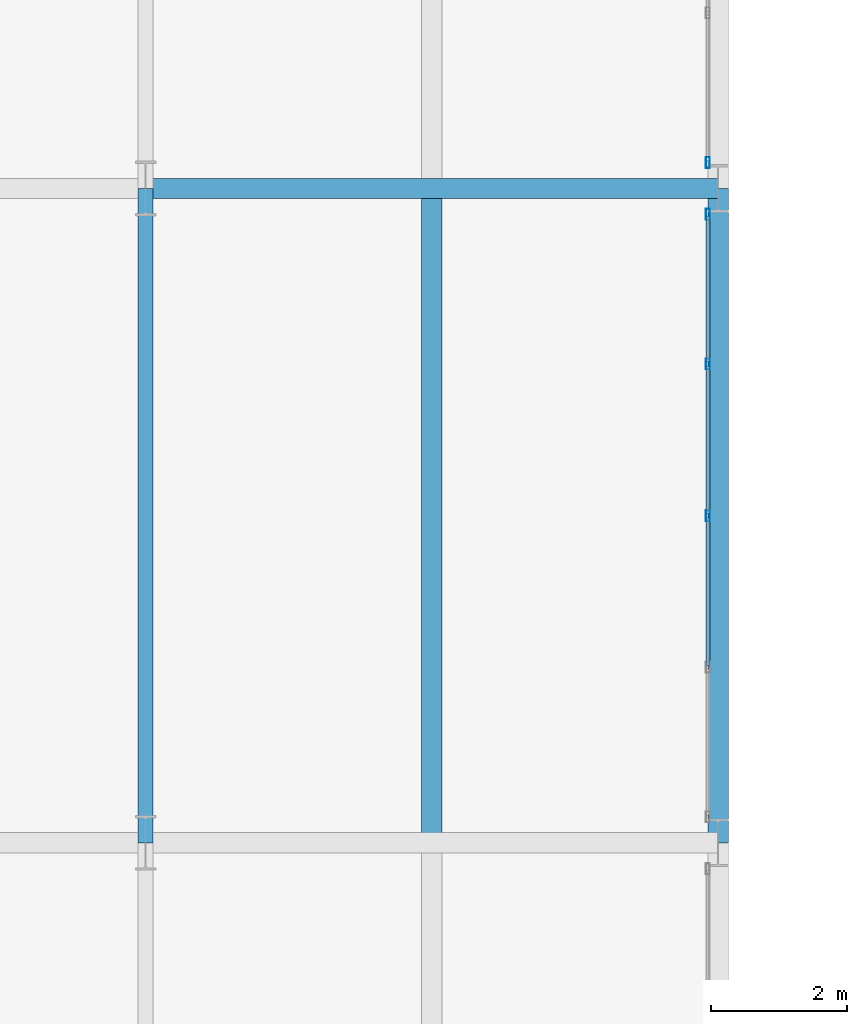
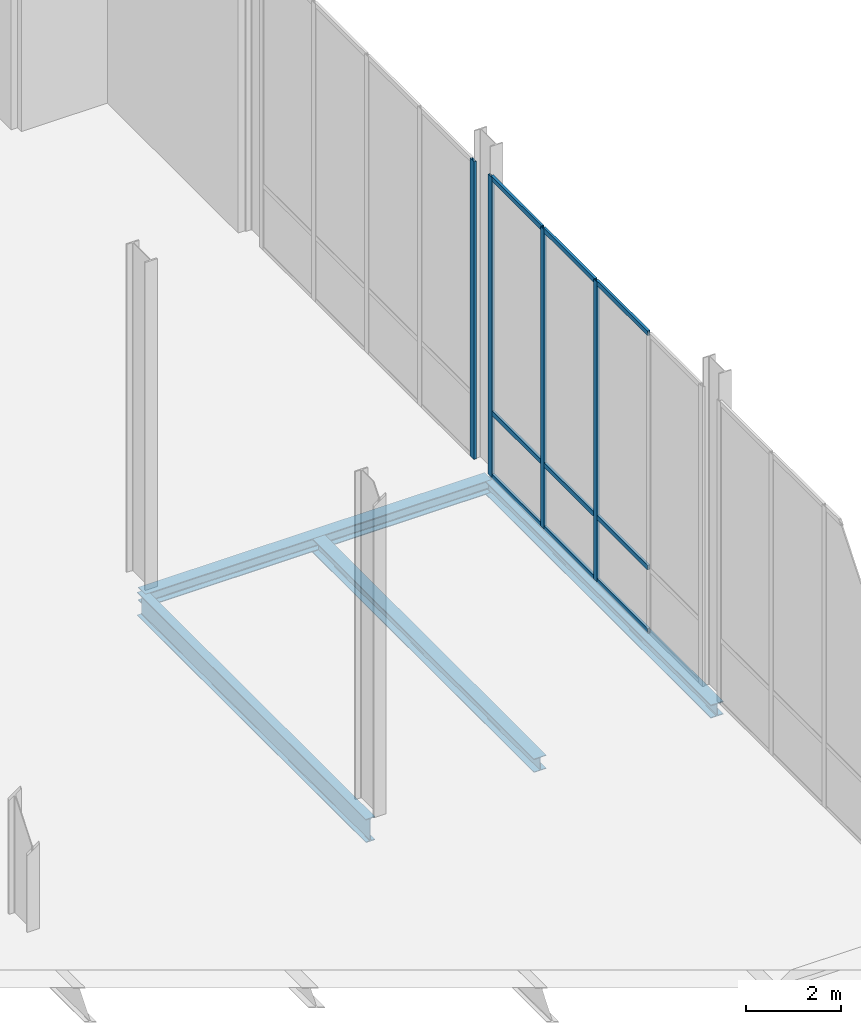
# One storey, part 76 of 131: 13 members, 4 beams, 2 elements without a shape of their own.
"""IFC4 building model written with IfcOpenShell, lengths in metres."""

from ifc_helpers import new_model, si_unit, direction, frame, origin, origin_2d, place, context, subcontext, project, spatial, hollow_rectangle, i_section, extrude, material, material_profile, profile_set, type_object, element, aggregate, save


model = new_model("IFC4")

# Units and contexts
model_context = context("Model", 3, precision=1e-05, world=origin(), true_north=direction((0.0, 1.0)))
body_context = subcontext(model_context, "Body", "Model", "MODEL_VIEW")
ifc_project = project(units=[si_unit("LENGTHUNIT", "METRE"), si_unit("AREAUNIT", "SQUARE_METRE"), si_unit("VOLUMEUNIT", "CUBIC_METRE"), si_unit("PLANEANGLEUNIT", "RADIAN"), si_unit("MASSUNIT", "GRAM", prefix="KILO")], contexts=[model_context])

# Site, building, storey
site_placement = place(None, origin())
site = spatial("IfcSite", under=ifc_project, at=site_placement, CompositionType="ELEMENT")
building_placement = place(site_placement, origin())
building = spatial("IfcBuilding", under=site, at=building_placement, Name="Veltarok Museum of Natural Sciences", CompositionType="ELEMENT")
storey_placement = place(building_placement, origin())
storey = spatial("IfcBuildingStorey", under=building, at=storey_placement, Name="L00", CompositionType="ELEMENT", Elevation=0.0)

# Curtain wall, members
ifc_material_1 = material(Name="Low-iron triple insulated glass", Category="glass")
curtain_wall_type_1 = type_object("IfcCurtainWallType", Name="Curtain Wall System CW-V2NPE-L00-2-890x768 (CW-V2NPE L00 890x768cm)", PredefinedType="NOTDEFINED", material=ifc_material_1)
curtain_wall_1_placement = place(storey_placement, origin())
curtain_wall_1 = element("IfcCurtainWall", 1, at=curtain_wall_1_placement, inside=storey, type_object=curtain_wall_type_1, Name="Curtain Wall CW-V2NPE-L00-2-890x768 CW-0218", PredefinedType="NOTDEFINED")
ifc_material_2 = material(Name="Thermally broken anodised aluminium", Category="aluminium")
ifc_material_profile_1 = material_profile(ifc_material_2, hollow_rectangle(XDim=0.06005859375, YDim=0.1201171875, WallThickness=0.0048828125, at=origin_2d()), Name="CW TRANSOM 60x120x5")
ifc_profile_set_1 = profile_set([ifc_material_profile_1], Name="Thermally broken anodised aluminium")
member_type_1 = type_object("IfcMemberType", Name="Curtain Wall Horizontal Transom 60x120x5", PredefinedType="USERDEFINED", material=ifc_profile_set_1)
member_1_placement = place(storey_placement, frame((81.85009765625, 84.205078125, 0.028076171875), z_axis=(0.0, 1.0, 0.0), x_axis=(-1.0, 0.0, 0.0)))
member_1 = element("IfcMember", 2, at=member_1_placement, type_object=member_type_1, Name="CW-V2NPE-L00-2-890x768 transom 2.1", ObjectType="TRANSOM", PredefinedType="USERDEFINED", context=body_context, shape_type="SweptSolid", body=[
    extrude(hollow_rectangle(XDim=0.06005859375, YDim=0.1201171875, WallThickness=0.0048828125, at=origin_2d()), origin(), (0.0, 0.0, 1.0), 2.1650390625),
])
member_2_placement = place(storey_placement, frame((81.85009765625, 84.205078125, 1.64794921875), z_axis=(0.0, 1.0, 0.0), x_axis=(-1.0, 0.0, 0.0)))
member_2 = element("IfcMember", 3, at=member_2_placement, type_object=member_type_1, Name="CW-V2NPE-L00-2-890x768 transom 2.2", ObjectType="TRANSOM", PredefinedType="USERDEFINED", context=body_context, shape_type="SweptSolid", body=[
    extrude(hollow_rectangle(XDim=0.06005859375, YDim=0.1201171875, WallThickness=0.0048828125, at=origin_2d()), origin(), (0.0, 0.0, 1.0), 2.1650390625),
])
member_3_placement = place(storey_placement, frame((81.85009765625, 84.205078125, 7.64990234375), z_axis=(0.0, 1.0, 0.0), x_axis=(-1.0, 0.0, 0.0)))
member_3 = element("IfcMember", 4, at=member_3_placement, type_object=member_type_1, Name="CW-V2NPE-L00-2-890x768 transom 2.3", ObjectType="TRANSOM", PredefinedType="USERDEFINED", context=body_context, shape_type="SweptSolid", body=[
    extrude(hollow_rectangle(XDim=0.06005859375, YDim=0.1201171875, WallThickness=0.0048828125, at=origin_2d()), origin(), (0.0, 0.0, 1.0), 2.1650390625),
])
member_4_placement = place(storey_placement, frame((81.85009765625, 86.429931640625, 0.028076171875), z_axis=(0.0, 1.0, 0.0), x_axis=(-1.0, 0.0, 0.0)))
member_4 = element("IfcMember", 5, at=member_4_placement, type_object=member_type_1, Name="CW-V2NPE-L00-2-890x768 transom 3.1", ObjectType="TRANSOM", PredefinedType="USERDEFINED", context=body_context, shape_type="SweptSolid", body=[
    extrude(hollow_rectangle(XDim=0.06005859375, YDim=0.1201171875, WallThickness=0.0048828125, at=origin_2d()), origin(), (0.0, 0.0, 1.0), 2.1650390625),
])
member_5_placement = place(storey_placement, frame((81.85009765625, 86.429931640625, 1.64794921875), z_axis=(0.0, 1.0, 0.0), x_axis=(-1.0, 0.0, 0.0)))
member_5 = element("IfcMember", 6, at=member_5_placement, type_object=member_type_1, Name="CW-V2NPE-L00-2-890x768 transom 3.2", ObjectType="TRANSOM", PredefinedType="USERDEFINED", context=body_context, shape_type="SweptSolid", body=[
    extrude(hollow_rectangle(XDim=0.06005859375, YDim=0.1201171875, WallThickness=0.0048828125, at=origin_2d()), origin(), (0.0, 0.0, 1.0), 2.1650390625),
])
member_6_placement = place(storey_placement, frame((81.85009765625, 86.429931640625, 7.64990234375), z_axis=(0.0, 1.0, 0.0), x_axis=(-1.0, 0.0, 0.0)))
member_6 = element("IfcMember", 7, at=member_6_placement, type_object=member_type_1, Name="CW-V2NPE-L00-2-890x768 transom 3.3", ObjectType="TRANSOM", PredefinedType="USERDEFINED", context=body_context, shape_type="SweptSolid", body=[
    extrude(hollow_rectangle(XDim=0.06005859375, YDim=0.1201171875, WallThickness=0.0048828125, at=origin_2d()), origin(), (0.0, 0.0, 1.0), 2.1650390625),
])
member_7_placement = place(storey_placement, frame((81.85009765625, 88.655029296875, 0.028076171875), z_axis=(0.0, 1.0, 0.0), x_axis=(-1.0, 0.0, 0.0)))
member_7 = element("IfcMember", 8, at=member_7_placement, type_object=member_type_1, Name="CW-V2NPE-L00-2-890x768 transom 4.1", ObjectType="TRANSOM", PredefinedType="USERDEFINED", context=body_context, shape_type="SweptSolid", body=[
    extrude(hollow_rectangle(XDim=0.06005859375, YDim=0.1201171875, WallThickness=0.0048828125, at=origin_2d()), origin(), (0.0, 0.0, 1.0), 2.135009765625),
])
member_8_placement = place(storey_placement, frame((81.85009765625, 88.655029296875, 1.64794921875), z_axis=(0.0, 1.0, 0.0), x_axis=(-1.0, 0.0, 0.0)))
member_8 = element("IfcMember", 9, at=member_8_placement, type_object=member_type_1, Name="CW-V2NPE-L00-2-890x768 transom 4.2", ObjectType="TRANSOM", PredefinedType="USERDEFINED", context=body_context, shape_type="SweptSolid", body=[
    extrude(hollow_rectangle(XDim=0.06005859375, YDim=0.1201171875, WallThickness=0.0048828125, at=origin_2d()), origin(), (0.0, 0.0, 1.0), 2.135009765625),
])
member_9_placement = place(storey_placement, frame((81.85009765625, 88.655029296875, 7.64990234375), z_axis=(0.0, 1.0, 0.0), x_axis=(-1.0, 0.0, 0.0)))
member_9 = element("IfcMember", 10, at=member_9_placement, type_object=member_type_1, Name="CW-V2NPE-L00-2-890x768 transom 4.3", ObjectType="TRANSOM", PredefinedType="USERDEFINED", context=body_context, shape_type="SweptSolid", body=[
    extrude(hollow_rectangle(XDim=0.06005859375, YDim=0.1201171875, WallThickness=0.0048828125, at=origin_2d()), origin(), (0.0, 0.0, 1.0), 2.135009765625),
])
ifc_material_profile_2 = material_profile(ifc_material_2, hollow_rectangle(XDim=0.06005859375, YDim=0.159912109375, WallThickness=0.0048828125, at=origin_2d()), Name="CW MULLION 60x160x5")
ifc_profile_set_2 = profile_set([ifc_material_profile_2], Name="Thermally broken anodised aluminium")
member_type_2 = type_object("IfcMemberType", Name="Curtain Wall Vertical Mullion 60x160x5", PredefinedType="MULLION", material=ifc_profile_set_2)
member_10_placement = place(storey_placement, frame((81.85009765625, 86.39990234375, -0.001953125), z_axis=(0.0, 0.0, 1.0), x_axis=(-1.0, 0.0, 0.0)))
member_10 = element("IfcMember", 11, at=member_10_placement, type_object=member_type_2, Name="CW-V2NPE-L00-2-890x768 mullion 3", PredefinedType="MULLION", context=body_context, shape_type="SweptSolid", body=[
    extrude(hollow_rectangle(XDim=0.06005859375, YDim=0.159912109375, WallThickness=0.0048828125, at=origin_2d()), origin(), (0.0, 0.0, 1.0), 7.681884765625),
])
member_11_placement = place(storey_placement, frame((81.85009765625, 88.625, -0.001953125), z_axis=(0.0, 0.0, 1.0), x_axis=(-1.0, 0.0, 0.0)))
member_11 = element("IfcMember", 12, at=member_11_placement, type_object=member_type_2, Name="CW-V2NPE-L00-2-890x768 mullion 4", PredefinedType="MULLION", context=body_context, shape_type="SweptSolid", body=[
    extrude(hollow_rectangle(XDim=0.06005859375, YDim=0.159912109375, WallThickness=0.0048828125, at=origin_2d()), origin(), (0.0, 0.0, 1.0), 7.681884765625),
])
member_12_placement = place(storey_placement, frame((81.85009765625, 90.820068359375, -0.001953125), z_axis=(0.0, 0.0, 1.0), x_axis=(-1.0, 0.0, 0.0)))
member_12 = element("IfcMember", 13, at=member_12_placement, type_object=member_type_2, Name="CW-V2NPE-L00-2-890x768 mullion 5", PredefinedType="MULLION", context=body_context, shape_type="SweptSolid", body=[
    extrude(hollow_rectangle(XDim=0.06005859375, YDim=0.159912109375, WallThickness=0.0048828125, at=origin_2d()), origin(), (0.0, 0.0, 1.0), 7.681884765625),
])
aggregate(curtain_wall_1, [member_10, member_11, member_12, member_1, member_2, member_3, member_4, member_5, member_6, member_7, member_8, member_9])

# Curtain wall, member
curtain_wall_type_2 = type_object("IfcCurtainWallType", Name="Curtain Wall System CW-V2NPE-L00-3-890x763 (CW-V2NPE L00 890x763cm)", PredefinedType="NOTDEFINED", material=ifc_material_1)
curtain_wall_2_placement = place(storey_placement, origin())
curtain_wall_2 = element("IfcCurtainWall", 14, at=curtain_wall_2_placement, inside=storey, type_object=curtain_wall_type_2, Name="Curtain Wall CW-V2NPE-L00-3-890x763 CW-0219", PredefinedType="NOTDEFINED")
member_13_placement = place(storey_placement, frame((81.85009765625, 91.580078125, -0.001953125), z_axis=(0.0, 0.0, 1.0), x_axis=(-1.0, 0.0, 0.0)))
member_13 = element("IfcMember", 15, at=member_13_placement, type_object=member_type_2, Name="CW-V2NPE-L00-3-890x763 mullion 1", PredefinedType="MULLION", context=body_context, shape_type="SweptSolid", body=[
    extrude(hollow_rectangle(XDim=0.06005859375, YDim=0.159912109375, WallThickness=0.0048828125, at=origin_2d()), origin(), (0.0, 0.0, 1.0), 7.6318359375),
])
aggregate(curtain_wall_2, [member_13])

# Beams
ifc_material_3 = material(Name="Steel S355J2", Category="steel")
ifc_material_profile_3 = material_profile(ifc_material_3, i_section(OverallWidth=0.300048828125, OverallDepth=0.35009765625, WebThickness=0.010009765625, FlangeThickness=0.017578125, FilletRadius=0.027099609375, at=origin_2d()), Name="HEA 360")
ifc_profile_set_3 = profile_set([ifc_material_profile_3], Name="Steel S355J2")
beam_type_1 = type_object("IfcBeamType", Name="Long-Span Gallery Joist HEA 360", PredefinedType="JOIST", material=ifc_profile_set_3)
beam_1_placement = place(storey_placement, frame((77.800048828125, 81.748046875, -0.47509765625), z_axis=(0.0, 1.0, 0.0), x_axis=(-1.0, 0.0, 0.0)))
element("IfcBeam", 16, at=beam_1_placement, inside=storey, type_object=beam_type_1, Name="Secondary Joist BM-J07 L00 9-10/J-K.1", PredefinedType="JOIST", context=body_context, shape_type="SweptSolid", body=[
    extrude(i_section(OverallWidth=0.300048828125, OverallDepth=0.35009765625, WebThickness=0.010009765625, FlangeThickness=0.017578125, FilletRadius=0.027099609375, at=origin_2d()), origin(), (0.0, 0.0, 1.0), 9.303955078125),
])
ifc_material_profile_4 = material_profile(ifc_material_3, i_section(OverallWidth=0.300048828125, OverallDepth=0.340087890625, WebThickness=0.011962890625, FlangeThickness=0.021484375, FilletRadius=0.027099609375, at=origin_2d()), Name="HEB 340")
ifc_profile_set_4 = profile_set([ifc_material_profile_4], Name="Steel S355J2")
beam_type_2 = type_object("IfcBeamType", Name="Perimeter Bridge Spandrel HEB 340", PredefinedType="SPANDREL", material=ifc_profile_set_4)
beam_2_placement = place(storey_placement, frame((73.60009765625, 91.199951171875, -0.469970703125), z_axis=(1.0, 0.0, 0.0), x_axis=(0.0, 1.0, 0.0)))
element("IfcBeam", 17, at=beam_2_placement, inside=storey, type_object=beam_type_2, Name="Beam BM-SP07 L00 9-10/K", PredefinedType="SPANDREL", context=body_context, shape_type="SweptSolid", body=[
    extrude(i_section(OverallWidth=0.300048828125, OverallDepth=0.340087890625, WebThickness=0.011962890625, FlangeThickness=0.021484375, FilletRadius=0.027099609375, at=origin_2d()), origin(), (0.0, 0.0, 1.0), 8.39990234375),
])
beam_3_placement = place(storey_placement, frame((82.0, 81.60009765625, -0.469970703125), z_axis=(0.0, 1.0, 0.0), x_axis=(-1.0, 0.0, 0.0)))
element("IfcBeam", 18, at=beam_3_placement, inside=storey, type_object=beam_type_2, Name="Beam BM-SP07 L00 10/J-K", PredefinedType="SPANDREL", context=body_context, shape_type="SweptSolid", body=[
    extrude(i_section(OverallWidth=0.300048828125, OverallDepth=0.340087890625, WebThickness=0.011962890625, FlangeThickness=0.021484375, FilletRadius=0.027099609375, at=origin_2d()), origin(), (0.0, 0.0, 1.0), 9.599853515625),
])
ifc_material_profile_5 = material_profile(ifc_material_3, i_section(OverallWidth=0.219970703125, OverallDepth=0.60009765625, WebThickness=0.011962890625, FlangeThickness=0.01904296875, FilletRadius=0.02392578125, at=origin_2d()), Name="IPE 600")
ifc_profile_set_5 = profile_set([ifc_material_profile_5], Name="Steel S355J2")
beam_type_3 = type_object("IfcBeamType", Name="Primary Museum Girder IPE 600", PredefinedType="BEAM", material=ifc_profile_set_5)
beam_4_placement = place(storey_placement, frame((73.60009765625, 81.60009765625, -0.60009765625), z_axis=(0.0, 1.0, 0.0), x_axis=(-1.0, 0.0, 0.0)))
element("IfcBeam", 19, at=beam_4_placement, inside=storey, type_object=beam_type_3, Name="Beam BM-G02 L00 9/J-K", PredefinedType="BEAM", context=body_context, shape_type="SweptSolid", body=[
    extrude(i_section(OverallWidth=0.219970703125, OverallDepth=0.60009765625, WebThickness=0.011962890625, FlangeThickness=0.01904296875, FilletRadius=0.02392578125, at=origin_2d()), origin(), (0.0, 0.0, 1.0), 9.599853515625),
])

save(model, "model.ifc")
